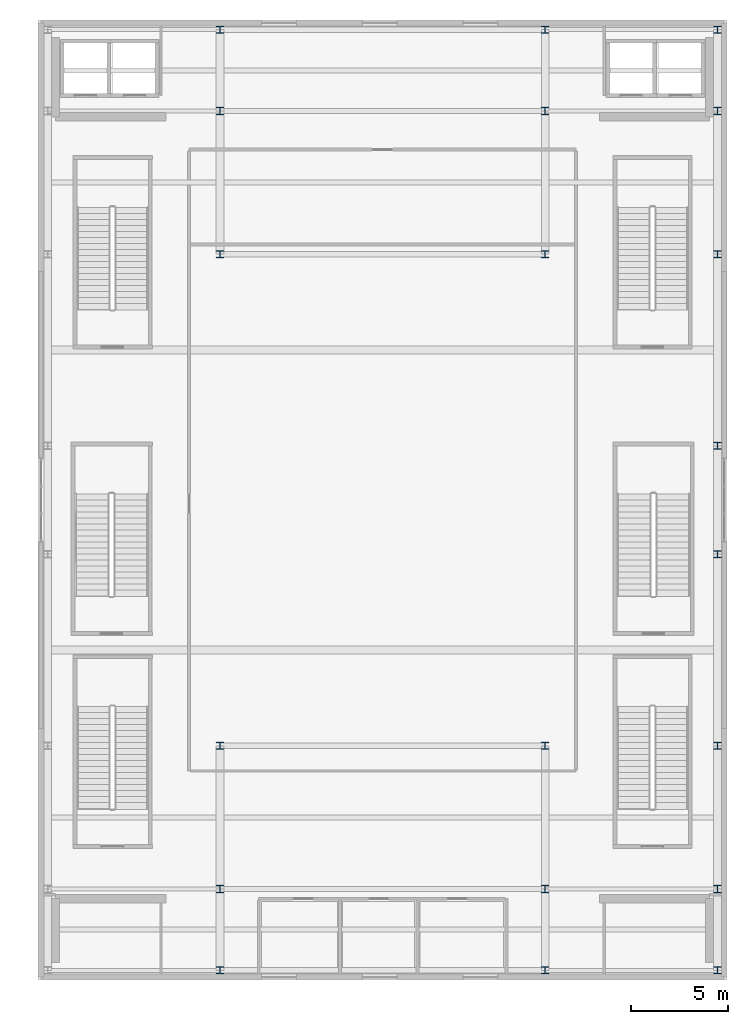
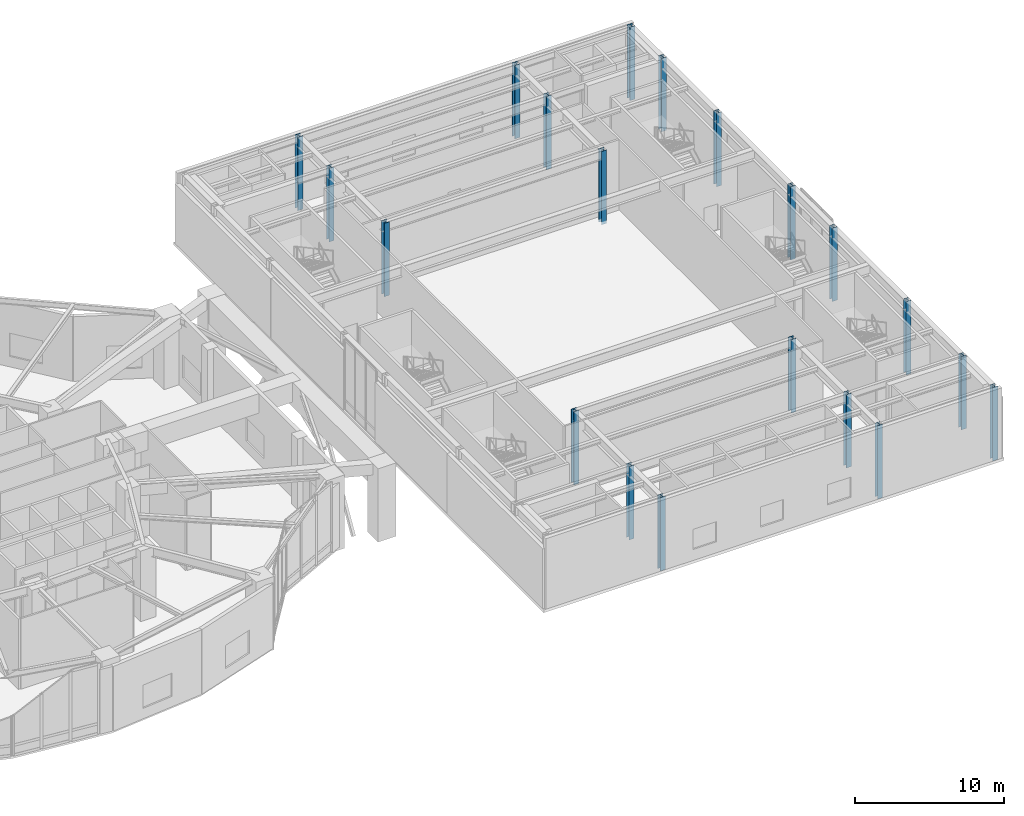
# One storey, part 4 of 25: 20 columns.
"""IFC4 building model written with IfcOpenShell, lengths in metres."""

from ifc_helpers import new_model, si_unit, direction, frame, origin, origin_2d, place, context, subcontext, project, spatial, i_section, extrude, material, material_profile, profile_set, type_object, element, save


model = new_model("IFC4")

# Units and contexts
model_context = context("Model", 3, precision=1e-05, world=origin(), true_north=direction((0.0, 1.0)))
body_context = subcontext(model_context, "Body", "Model", "MODEL_VIEW")
ifc_project = project(units=[si_unit("LENGTHUNIT", "METRE"), si_unit("AREAUNIT", "SQUARE_METRE"), si_unit("VOLUMEUNIT", "CUBIC_METRE"), si_unit("PLANEANGLEUNIT", "RADIAN"), si_unit("MASSUNIT", "GRAM", prefix="KILO")], contexts=[model_context])

# Site, building, storey
site_placement = place(None, origin())
site = spatial("IfcSite", under=ifc_project, at=site_placement, CompositionType="ELEMENT")
building_placement = place(site_placement, origin())
building = spatial("IfcBuilding", under=site, at=building_placement, Name="Kolvaren Gate Tower and Convention Centre", CompositionType="ELEMENT")
storey_placement = place(building_placement, frame((0.0, 0.0, 15.0)))
storey = spatial("IfcBuildingStorey", under=building, at=storey_placement, Name="L03", CompositionType="ELEMENT", Elevation=15.0)

# Columns
ifc_material = material(Name="Structural steel ASTM A992 Grade 345 MPa", Category="steel")
ifc_material_profile = material_profile(ifc_material, i_section(OverallWidth=0.39501953125, OverallDepth=0.3798828125, WebThickness=0.018798828125, FlangeThickness=0.0302734375, at=origin_2d()), Name="W360X237")
ifc_profile_set = profile_set([ifc_material_profile], Name="Structural steel ASTM A992 Grade 345 MPa")
column_type = type_object("IfcColumnType", Name="STR-COL-W360X237", PredefinedType="COLUMN", material=ifc_profile_set)
for number, where, z_axis, x_axis, name in (
    (1, (71.60009765625, 2.699951171875, -0.239990234375), (0.0, 0.0, 1.0), (1.0, 0.0, 0.0), "Convention L03 Column CC-21"),
    (2, (71.60009765625, 6.89990234375, -0.239990234375), (0.0, 0.0, 1.0), (1.0, 0.0, 0.0), "Convention L03 Column CC-22"),
    (3, (71.60009765625, 14.300048828125, -0.239990234375), (0.0, 0.0, 1.0), (1.0, 0.0, 0.0), "Convention L03 Column CC-23"),
    (4, (71.60009765625, 39.699951171875, -0.239990234375), (0.0, 0.0, 1.0), (1.0, 0.0, 0.0), "Convention L03 Column CC-26"),
    (5, (71.60009765625, 47.10009765625, -0.239990234375), (0.0, 0.0, 1.0), (1.0, 0.0, 0.0), "Convention L03 Column CC-27"),
    (6, (71.60009765625, 51.300048828125, -0.239990234375), (0.0, 0.0, 1.0), (1.0, 0.0, 0.0), "Convention L03 Column CC-28"),
    (7, (88.39990234375, 2.699951171875, -0.239990234375), (0.0, 0.0, 1.0), (1.0, 0.0, 0.0), "Convention L03 Column CC-31"),
    (8, (88.39990234375, 6.89990234375, -0.239990234375), (0.0, 0.0, 1.0), (1.0, 0.0, 0.0), "Convention L03 Column CC-32"),
    (9, (88.39990234375, 14.300048828125, -0.239990234375), (0.0, 0.0, 1.0), (1.0, 0.0, 0.0), "Convention L03 Column CC-33"),
    (10, (88.39990234375, 39.699951171875, -0.239990234375), (0.0, 0.0, 1.0), (1.0, 0.0, 0.0), "Convention L03 Column CC-36"),
    (11, (88.39990234375, 47.10009765625, -0.239990234375), (0.0, 0.0, 1.0), (1.0, 0.0, 0.0), "Convention L03 Column CC-37"),
    (12, (88.39990234375, 51.300048828125, -0.239990234375), (0.0, 0.0, 1.0), (1.0, 0.0, 0.0), "Convention L03 Column CC-38"),
    (13, (97.300048828125, 2.699951171875, -0.239990234375), (0.0, 0.0, 1.0), (1.0, 0.0, 0.0), "Convention L03 Column CC-41"),
    (14, (97.300048828125, 6.89990234375, -0.239990234375), (0.0, 0.0, 1.0), (1.0, 0.0, 0.0), "Convention L03 Column CC-42"),
    (15, (97.300048828125, 14.300048828125, -0.239990234375), (0.0, 0.0, 1.0), (1.0, 0.0, 0.0), "Convention L03 Column CC-43"),
    (16, (97.300048828125, 24.199951171875, -0.239990234375), (0.0, 0.0, 1.0), (1.0, 0.0, 0.0), "Convention L03 Column CC-44"),
    (17, (97.300048828125, 29.800048828125, -0.239990234375), (0.0, 0.0, 1.0), (1.0, 0.0, 0.0), "Convention L03 Column CC-45"),
    (18, (97.300048828125, 39.699951171875, -0.239990234375), (0.0, 0.0, 1.0), (1.0, 0.0, 0.0), "Convention L03 Column CC-46"),
    (19, (97.300048828125, 47.10009765625, -0.239990234375), (0.0, 0.0, 1.0), (1.0, 0.0, 0.0), "Convention L03 Column CC-47"),
    (20, (97.300048828125, 51.300048828125, -0.239990234375), (0.0, 0.0, 1.0), (1.0, 0.0, 0.0), "Convention L03 Column CC-48"),
):
    element("IfcColumn", number, at=place(storey_placement, frame(where, z_axis=z_axis, x_axis=x_axis)), inside=storey, type_object=column_type, Name=name, PredefinedType="COLUMN", context=body_context, shape_type="SweptSolid", body=[
        extrude(i_section(OverallWidth=0.39501953125, OverallDepth=0.3798828125, WebThickness=0.018798828125, FlangeThickness=0.0302734375, at=origin_2d()), origin(), (0.0, 0.0, 1.0), 6.0),
    ])

save(model, "model.ifc")
